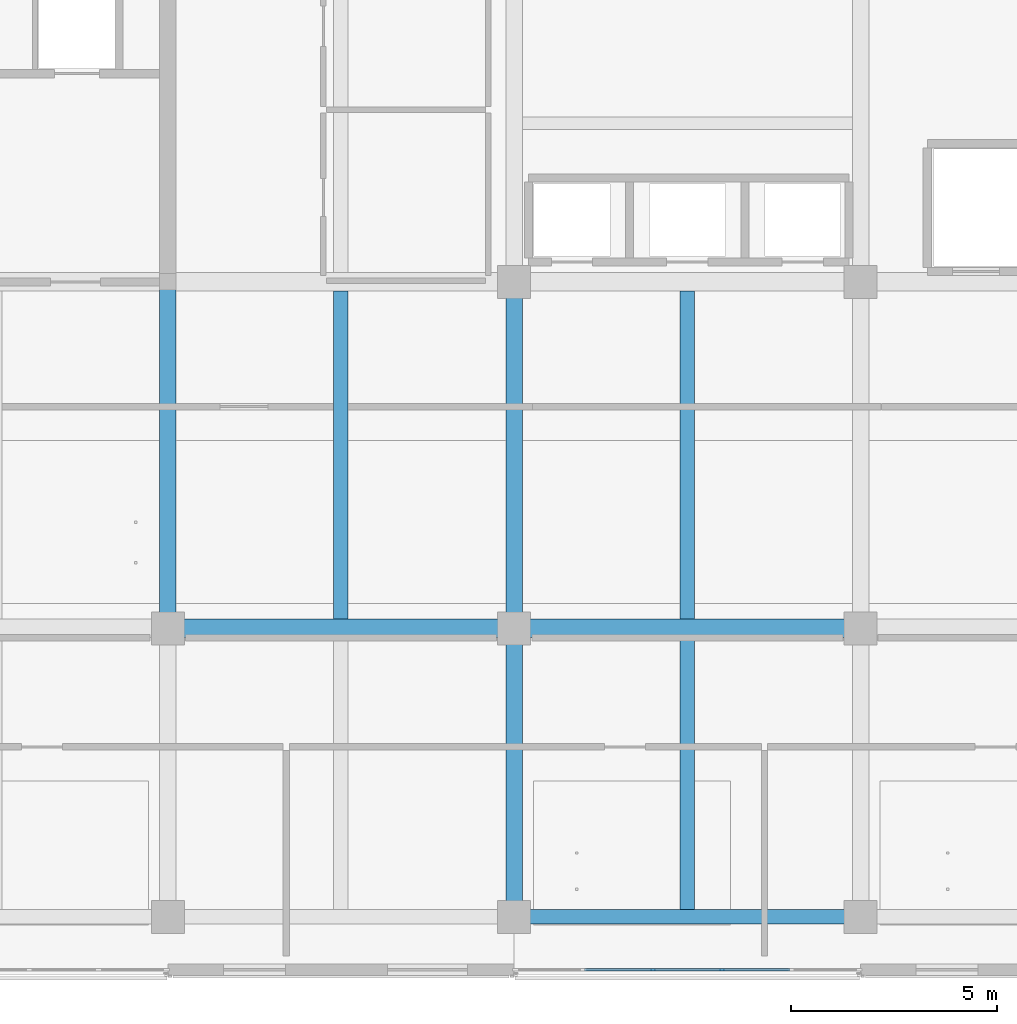
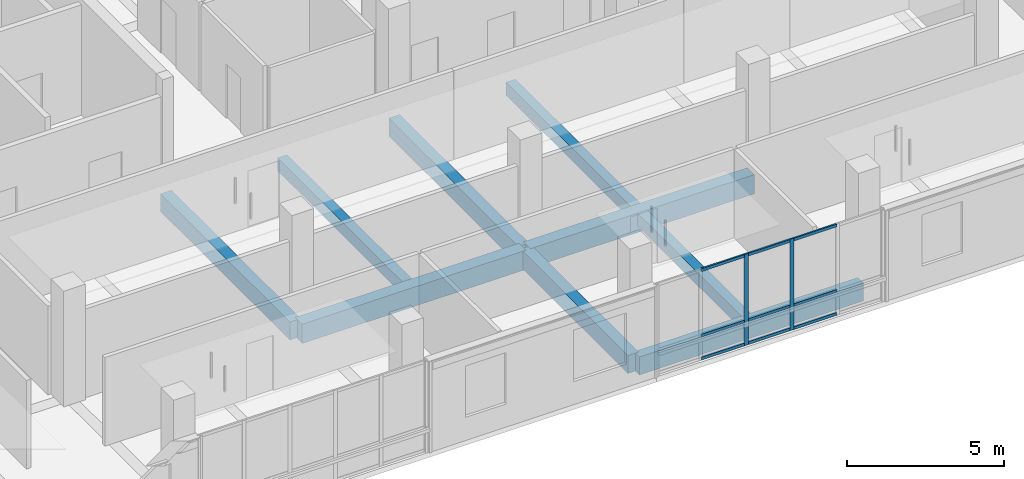
# One storey, part 3 of 34: 11 members, 9 beams, 1 element without a shape of its own.
"""IFC4 building model written with IfcOpenShell, lengths in metres."""

from ifc_helpers import new_model, si_unit, direction, frame, origin, origin_2d, place, context, subcontext, project, spatial, rectangle, extrude, material, layer, layer_set, material_profile, profile_set, type_object, element, aggregate, save


model = new_model("IFC4")

# Units and contexts
model_context = context("Model", 3, precision=1e-05, world=origin(), true_north=direction((0.0, 1.0)))
body_context = subcontext(model_context, "Body", "Model", "MODEL_VIEW")
ifc_project = project(units=[si_unit("LENGTHUNIT", "METRE"), si_unit("AREAUNIT", "SQUARE_METRE"), si_unit("VOLUMEUNIT", "CUBIC_METRE"), si_unit("PLANEANGLEUNIT", "RADIAN"), si_unit("MASSUNIT", "GRAM", prefix="KILO")], contexts=[model_context])

# Site, building, storey
site_placement = place(None, origin())
site = spatial("IfcSite", under=ifc_project, at=site_placement, CompositionType="ELEMENT")
building_placement = place(site_placement, origin())
building = spatial("IfcBuilding", under=site, at=building_placement, Name="Telukmera Botanical Conservatory", CompositionType="ELEMENT")
storey_placement = place(building_placement, frame((0.0, 0.0, 37.5)))
storey = spatial("IfcBuildingStorey", under=building, at=storey_placement, Name="L08", CompositionType="ELEMENT", Elevation=37.5)

# Beams
ifc_material_1 = material(Name="Concrete C40/50", Category="concrete")
ifc_material_profile_1 = material_profile(ifc_material_1, rectangle(XDim=0.35009765625, YDim=0.5, at=origin_2d()), Name="RC 350x500")
ifc_profile_set_1 = profile_set([ifc_material_profile_1], Name="Concrete C40/50")
beam_type_1 = type_object("IfcBeamType", Name="Beam_B22", PredefinedType="JOIST", material=ifc_profile_set_1)
beam_1_placement = place(storey_placement, frame((71.39990234375, 17.824951171875, -0.25), z_axis=(0.0, 1.0, 0.0), x_axis=(-1.0, 0.0, 0.0)))
element("IfcBeam", 1, at=beam_1_placement, inside=storey, type_object=beam_type_1, Name="Tower Secondary Floor Joist L08", PredefinedType="JOIST", context=body_context, shape_type="SweptSolid", body=[
    extrude(rectangle(XDim=0.35009765625, YDim=0.5, at=origin_2d()), origin(), (0.0, 0.0, 1.0), 7.949951171875),
])
beam_2_placement = place(storey_placement, frame((79.800048828125, 10.77490234375, -0.25), z_axis=(0.0, 1.0, 0.0), x_axis=(-1.0, 0.0, 0.0)))
element("IfcBeam", 2, at=beam_2_placement, inside=storey, type_object=beam_type_1, Name="Tower Secondary Floor Joist L08", PredefinedType="JOIST", context=body_context, shape_type="SweptSolid", body=[
    extrude(rectangle(XDim=0.35009765625, YDim=0.5, at=origin_2d()), origin(), (0.0, 0.0, 1.0), 6.60009765625),
])
beam_3_placement = place(storey_placement, frame((79.800048828125, 17.824951171875, -0.25), z_axis=(0.0, 1.0, 0.0), x_axis=(-1.0, 0.0, 0.0)))
element("IfcBeam", 3, at=beam_3_placement, inside=storey, type_object=beam_type_1, Name="Tower Secondary Floor Joist L08", PredefinedType="JOIST", context=body_context, shape_type="SweptSolid", body=[
    extrude(rectangle(XDim=0.35009765625, YDim=0.5, at=origin_2d()), origin(), (0.0, 0.0, 1.0), 7.949951171875),
])
ifc_material_profile_2 = material_profile(ifc_material_1, rectangle(XDim=0.449951171875, YDim=0.75, at=origin_2d()), Name="RC 450x750")
ifc_profile_set_2 = profile_set([ifc_material_profile_2], Name="Concrete C40/50")
beam_type_2 = type_object("IfcBeamType", Name="Beam_B6", PredefinedType="BEAM", material=ifc_profile_set_2)
for number, where, z_axis, x_axis, name in (
    (4, (67.280029296875, 17.60009765625, -0.375), (1.0, 0.0, 0.0), (0.0, 1.0, 0.0), "Tower Grid Beam L08"),
    (5, (75.679931640625, 17.60009765625, -0.375), (1.0, 0.0, 0.0), (0.0, 1.0, 0.0), "Tower Grid Beam L08"),
):
    element("IfcBeam", number, at=place(storey_placement, frame(where, z_axis=z_axis, x_axis=x_axis)), inside=storey, type_object=beam_type_2, Name=name, PredefinedType="BEAM", context=body_context, shape_type="SweptSolid", body=[
        extrude(rectangle(XDim=0.449951171875, YDim=0.75, at=origin_2d()), origin(), (0.0, 0.0, 1.0), 8.239990234375),
    ])
ifc_material_profile_3 = material_profile(ifc_material_1, rectangle(XDim=0.39990234375, YDim=0.699951171875, at=origin_2d()), Name="RC 400x700")
ifc_profile_set_3 = profile_set([ifc_material_profile_3], Name="Concrete C40/50")
beam_type_3 = type_object("IfcBeamType", Name="Beam_B7", PredefinedType="BEAM", material=ifc_profile_set_3)
beam_4_placement = place(storey_placement, frame((67.199951171875, 17.679931640625, -0.35009765625), z_axis=(0.0, 1.0, 0.0), x_axis=(-1.0, 0.0, 0.0)))
element("IfcBeam", 6, at=beam_4_placement, inside=storey, type_object=beam_type_3, Name="Tower Transverse Beam L08", PredefinedType="BEAM", context=body_context, shape_type="SweptSolid", body=[
    extrude(rectangle(XDim=0.39990234375, YDim=0.699951171875, at=origin_2d()), origin(), (0.0, 0.0, 1.0), 8.239990234375),
])
beam_5_placement = place(storey_placement, frame((75.60009765625, 10.679931640625, -0.35009765625), z_axis=(0.0, 1.0, 0.0), x_axis=(-1.0, 0.0, 0.0)))
element("IfcBeam", 7, at=beam_5_placement, inside=storey, type_object=beam_type_3, Name="Tower Transverse Beam L08", PredefinedType="BEAM", context=body_context, shape_type="SweptSolid", body=[
    extrude(rectangle(XDim=0.39990234375, YDim=0.699951171875, at=origin_2d()), origin(), (0.0, 0.0, 1.0), 6.840087890625),
])
beam_6_placement = place(storey_placement, frame((75.60009765625, 17.679931640625, -0.35009765625), z_axis=(0.0, 1.0, 0.0), x_axis=(-1.0, 0.0, 0.0)))
element("IfcBeam", 8, at=beam_6_placement, inside=storey, type_object=beam_type_3, Name="Tower Transverse Beam L08", PredefinedType="BEAM", context=body_context, shape_type="SweptSolid", body=[
    extrude(rectangle(XDim=0.39990234375, YDim=0.699951171875, at=origin_2d()), origin(), (0.0, 0.0, 1.0), 8.239990234375),
])
ifc_material_2 = material(Name="Precast concrete C40/50", Category="concrete")
ifc_material_profile_4 = material_profile(ifc_material_2, rectangle(XDim=0.35009765625, YDim=0.699951171875, at=origin_2d()), Name="PC 350x700")
ifc_profile_set_4 = profile_set([ifc_material_profile_4], Name="Precast concrete C40/50")
beam_type_4 = type_object("IfcBeamType", Name="Beam_SP2", PredefinedType="SPANDREL", material=ifc_profile_set_4)
beam_7_placement = place(storey_placement, frame((75.679931640625, 10.60009765625, -0.35009765625), z_axis=(1.0, 0.0, 0.0), x_axis=(0.0, 1.0, 0.0)))
element("IfcBeam", 9, at=beam_7_placement, inside=storey, type_object=beam_type_4, Name="Tower Grid Beam L08", PredefinedType="SPANDREL", context=body_context, shape_type="SweptSolid", body=[
    extrude(rectangle(XDim=0.35009765625, YDim=0.699951171875, at=origin_2d()), origin(), (0.0, 0.0, 1.0), 8.239990234375),
])

# Curtain wall, members
ifc_material_3 = material(Name="Anodised aluminium 6063-T6", Category="aluminium")
ifc_layer = layer(ifc_material_3, 0.179931640625)
ifc_layer_set = layer_set([ifc_layer], Name="Anodised aluminium 6063-T6")
curtain_wall_type = type_object("IfcCurtainWallType", Name="Tower Research Laboratory Unitised Curtain Wall", PredefinedType="USERDEFINED", material=ifc_layer_set)
curtain_wall_placement = place(storey_placement, origin())
curtain_wall = element("IfcCurtainWall", 10, at=curtain_wall_placement, inside=storey, type_object=curtain_wall_type, Name="Unitised Curtain Wall CW15 V4:L08:S4", ObjectType="UNITISED CURTAIN WALL", PredefinedType="USERDEFINED")
ifc_material_profile_5 = material_profile(ifc_material_3, rectangle(XDim=0.06005859375, YDim=0.139892578125, at=origin_2d()), Name="ALU MULL 60x140")
ifc_profile_set_5 = profile_set([ifc_material_profile_5], Name="Anodised aluminium 6063-T6")
member_type_1 = type_object("IfcMemberType", Name="Curtain Wall Extruded Mullion 60x140", PredefinedType="MULLION", material=ifc_profile_set_5)
member_1_placement = place(storey_placement, frame((78.96044921875, 9.320068359375, 0.0), z_axis=(0.0, 0.0, 1.0), x_axis=(0.0, 1.0, 0.0)))
member_1 = element("IfcMember", 11, at=member_1_placement, type_object=member_type_1, Name="CW15 mullion 3", PredefinedType="MULLION", context=body_context, shape_type="SweptSolid", body=[
    extrude(rectangle(XDim=0.06005859375, YDim=0.139892578125, at=origin_2d()), origin(), (0.0, 0.0, 1.0), 3.550048828125),
])
member_2_placement = place(storey_placement, frame((80.6396484375, 9.320068359375, 0.0), z_axis=(0.0, 0.0, 1.0), x_axis=(0.0, 1.0, 0.0)))
member_2 = element("IfcMember", 12, at=member_2_placement, type_object=member_type_1, Name="CW15 mullion 4", PredefinedType="MULLION", context=body_context, shape_type="SweptSolid", body=[
    extrude(rectangle(XDim=0.06005859375, YDim=0.139892578125, at=origin_2d()), origin(), (0.0, 0.0, 1.0), 3.550048828125),
])
ifc_material_profile_6 = material_profile(ifc_material_3, rectangle(XDim=0.06005859375, YDim=0.110107421875, at=origin_2d()), Name="ALU TRAN 60x110")
ifc_profile_set_6 = profile_set([ifc_material_profile_6], Name="Anodised aluminium 6063-T6")
member_type_2 = type_object("IfcMemberType", Name="Curtain Wall Extruded Transom 60x110", PredefinedType="USERDEFINED", material=ifc_profile_set_6)
member_3_placement = place(storey_placement, frame((77.311279296875, 9.320068359375, 0.054931640625), z_axis=(1.0, 0.0, 0.0), x_axis=(0.0, 1.0, 0.0)))
member_3 = element("IfcMember", 13, at=member_3_placement, type_object=member_type_2, Name="CW15 transom 2.1", ObjectType="TRANSOM", PredefinedType="USERDEFINED", context=body_context, shape_type="SweptSolid", body=[
    extrude(rectangle(XDim=0.06005859375, YDim=0.110107421875, at=origin_2d()), origin(), (0.0, 0.0, 1.0), 1.619140625),
])
member_4_placement = place(storey_placement, frame((77.311279296875, 9.320068359375, 0.949951171875), z_axis=(1.0, 0.0, 0.0), x_axis=(0.0, 1.0, 0.0)))
member_4 = element("IfcMember", 14, at=member_4_placement, type_object=member_type_2, Name="CW15 transom 2.2", ObjectType="TRANSOM", PredefinedType="USERDEFINED", context=body_context, shape_type="SweptSolid", body=[
    extrude(rectangle(XDim=0.06005859375, YDim=0.110107421875, at=origin_2d()), origin(), (0.0, 0.0, 1.0), 1.619140625),
])
member_5_placement = place(storey_placement, frame((77.311279296875, 9.320068359375, 3.4951171875), z_axis=(1.0, 0.0, 0.0), x_axis=(0.0, 1.0, 0.0)))
member_5 = element("IfcMember", 15, at=member_5_placement, type_object=member_type_2, Name="CW15 transom 2.3", ObjectType="TRANSOM", PredefinedType="USERDEFINED", context=body_context, shape_type="SweptSolid", body=[
    extrude(rectangle(XDim=0.06005859375, YDim=0.110107421875, at=origin_2d()), origin(), (0.0, 0.0, 1.0), 1.619140625),
])
member_6_placement = place(storey_placement, frame((78.990478515625, 9.320068359375, 0.054931640625), z_axis=(1.0, 0.0, 0.0), x_axis=(0.0, 1.0, 0.0)))
member_6 = element("IfcMember", 16, at=member_6_placement, type_object=member_type_2, Name="CW15 transom 3.1", ObjectType="TRANSOM", PredefinedType="USERDEFINED", context=body_context, shape_type="SweptSolid", body=[
    extrude(rectangle(XDim=0.06005859375, YDim=0.110107421875, at=origin_2d()), origin(), (0.0, 0.0, 1.0), 1.619140625),
])
member_7_placement = place(storey_placement, frame((78.990478515625, 9.320068359375, 0.949951171875), z_axis=(1.0, 0.0, 0.0), x_axis=(0.0, 1.0, 0.0)))
member_7 = element("IfcMember", 17, at=member_7_placement, type_object=member_type_2, Name="CW15 transom 3.2", ObjectType="TRANSOM", PredefinedType="USERDEFINED", context=body_context, shape_type="SweptSolid", body=[
    extrude(rectangle(XDim=0.06005859375, YDim=0.110107421875, at=origin_2d()), origin(), (0.0, 0.0, 1.0), 1.619140625),
])
member_8_placement = place(storey_placement, frame((78.990478515625, 9.320068359375, 3.4951171875), z_axis=(1.0, 0.0, 0.0), x_axis=(0.0, 1.0, 0.0)))
member_8 = element("IfcMember", 18, at=member_8_placement, type_object=member_type_2, Name="CW15 transom 3.3", ObjectType="TRANSOM", PredefinedType="USERDEFINED", context=body_context, shape_type="SweptSolid", body=[
    extrude(rectangle(XDim=0.06005859375, YDim=0.110107421875, at=origin_2d()), origin(), (0.0, 0.0, 1.0), 1.619140625),
])
member_9_placement = place(storey_placement, frame((80.669677734375, 9.320068359375, 0.054931640625), z_axis=(1.0, 0.0, 0.0), x_axis=(0.0, 1.0, 0.0)))
member_9 = element("IfcMember", 19, at=member_9_placement, type_object=member_type_2, Name="CW15 transom 4.1", ObjectType="TRANSOM", PredefinedType="USERDEFINED", context=body_context, shape_type="SweptSolid", body=[
    extrude(rectangle(XDim=0.06005859375, YDim=0.110107421875, at=origin_2d()), origin(), (0.0, 0.0, 1.0), 1.619140625),
])
member_10_placement = place(storey_placement, frame((80.669677734375, 9.320068359375, 0.949951171875), z_axis=(1.0, 0.0, 0.0), x_axis=(0.0, 1.0, 0.0)))
member_10 = element("IfcMember", 20, at=member_10_placement, type_object=member_type_2, Name="CW15 transom 4.2", ObjectType="TRANSOM", PredefinedType="USERDEFINED", context=body_context, shape_type="SweptSolid", body=[
    extrude(rectangle(XDim=0.06005859375, YDim=0.110107421875, at=origin_2d()), origin(), (0.0, 0.0, 1.0), 1.619140625),
])
member_11_placement = place(storey_placement, frame((80.669677734375, 9.320068359375, 3.4951171875), z_axis=(1.0, 0.0, 0.0), x_axis=(0.0, 1.0, 0.0)))
member_11 = element("IfcMember", 21, at=member_11_placement, type_object=member_type_2, Name="CW15 transom 4.3", ObjectType="TRANSOM", PredefinedType="USERDEFINED", context=body_context, shape_type="SweptSolid", body=[
    extrude(rectangle(XDim=0.06005859375, YDim=0.110107421875, at=origin_2d()), origin(), (0.0, 0.0, 1.0), 1.619140625),
])
aggregate(curtain_wall, [member_1, member_2, member_3, member_4, member_5, member_6, member_7, member_8, member_9, member_10, member_11])

save(model, "model.ifc")
